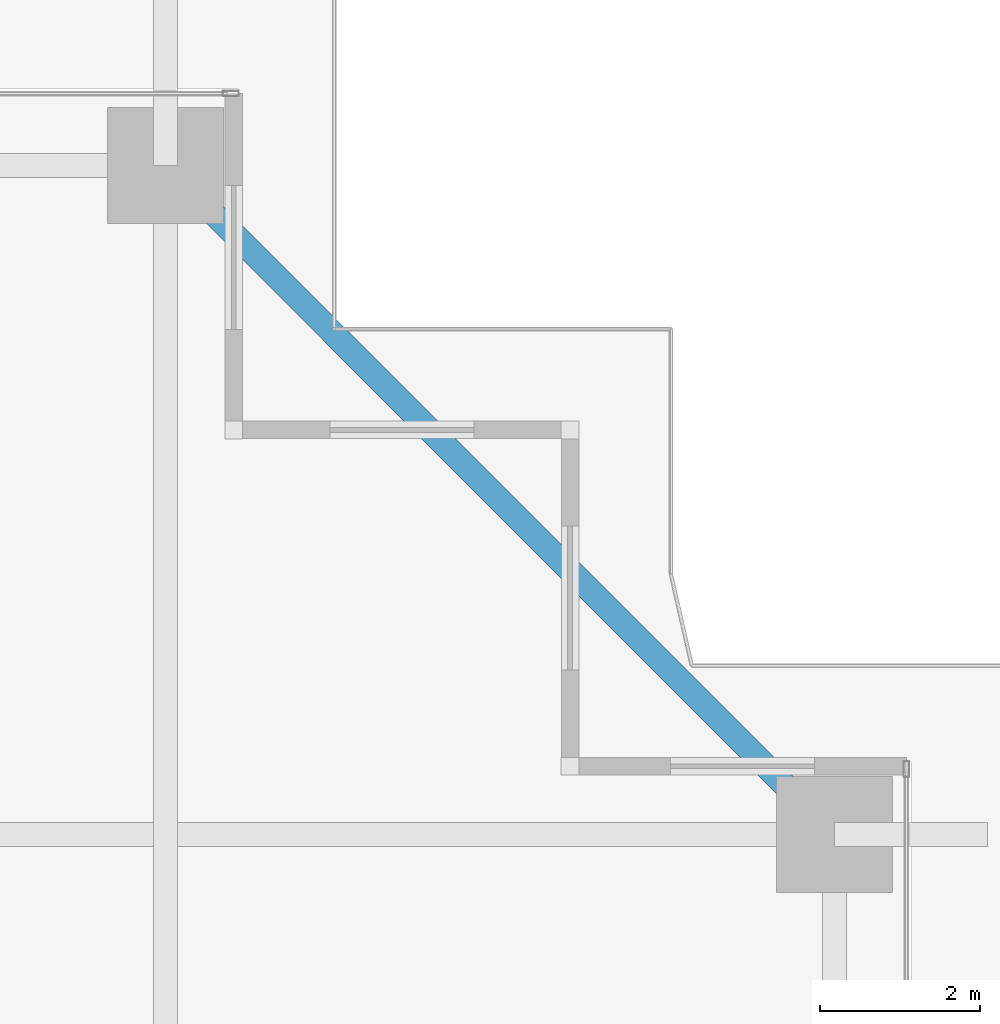
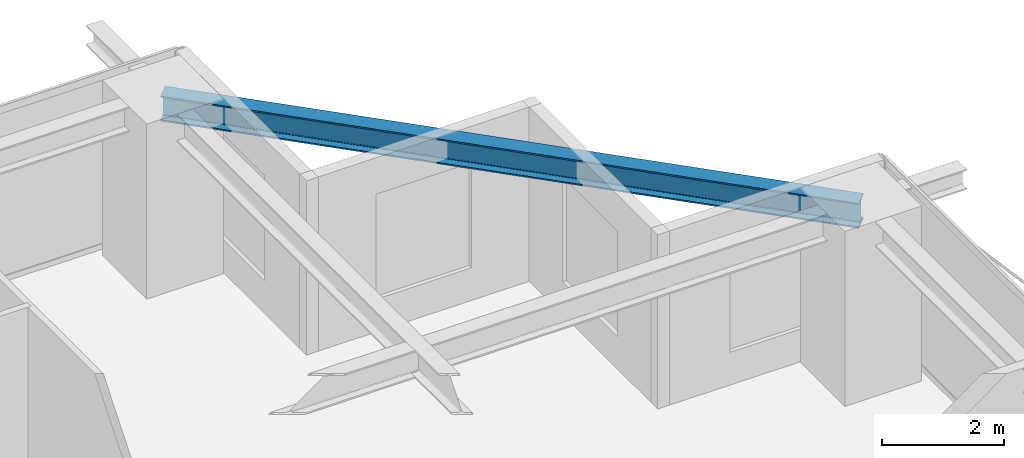
# One storey, part 24 of 38: 1 beam.
"""IFC4 building model written with IfcOpenShell, lengths in metres."""

from ifc_helpers import new_model, si_unit, direction, frame, origin, origin_2d, place, context, subcontext, project, spatial, i_section, extrude, source, transform, mapped, material, material_profile, profile_set, type_object, element, save


model = new_model("IFC4")

# Units and contexts
model_context = context("Model", 3, precision=1e-05, world=origin(), true_north=direction((0.0, 1.0)))
body_context = subcontext(model_context, "Body", "Model", "MODEL_VIEW")
ifc_project = project(units=[si_unit("LENGTHUNIT", "METRE"), si_unit("AREAUNIT", "SQUARE_METRE"), si_unit("VOLUMEUNIT", "CUBIC_METRE"), si_unit("PLANEANGLEUNIT", "RADIAN"), si_unit("MASSUNIT", "GRAM", prefix="KILO")], contexts=[model_context])

# Site, building, storey
site_placement = place(None, origin())
site = spatial("IfcSite", under=ifc_project, at=site_placement, CompositionType="ELEMENT")
building_placement = place(site_placement, origin())
building = spatial("IfcBuilding", under=site, at=building_placement, Name="Serunith Strait Residences", CompositionType="ELEMENT")
storey_placement = place(building_placement, frame((0.0, 0.0, 67.949951171875)))
storey = spatial("IfcBuildingStorey", under=building, at=storey_placement, Name="L16", CompositionType="ELEMENT", Elevation=67.949951171875)

# Beam
ifc_material = material(Name="Steel S355J2", Category="steel")
ifc_material_profile = material_profile(ifc_material, i_section(OverallWidth=0.300048828125, OverallDepth=0.5, WebThickness=0.014404296875, FlangeThickness=0.028076171875, FilletRadius=0.027099609375, at=origin_2d()), Name="HEB 500")
ifc_profile_set = profile_set([ifc_material_profile], Name="Steel S355J2")
beam_type = type_object("IfcBeamType", Name="BM-HEB500", PredefinedType="BEAM", material=ifc_profile_set)
shared_shape = source(origin(), body_context, "Body", "SweptSolid", [
    extrude(i_section(OverallWidth=0.300048828125, OverallDepth=0.5, WebThickness=0.014404296875, FlangeThickness=0.028076171875, FilletRadius=0.027099609375, at=origin_2d()), origin(), (0.0, 0.0, 1.0), 11.80859375),
])
beam_placement = place(storey_placement, frame((57.89990234375, 40.949951171875, 3.20703125), z_axis=(-0.707096443746, 0.707117118476, 0.0), x_axis=(-0.707117118476, -0.707096443746, 0.0)))
element("IfcBeam", 1, at=beam_placement, inside=storey, type_object=beam_type, Name="L16 Perimeter Ring Beam 08", PredefinedType="BEAM", context=body_context, shape_type="MappedRepresentation", body=[
    mapped(shared_shape, transform((0.0, 0.0, 0.0), scale=1.0)),
])

save(model, "model.ifc")
